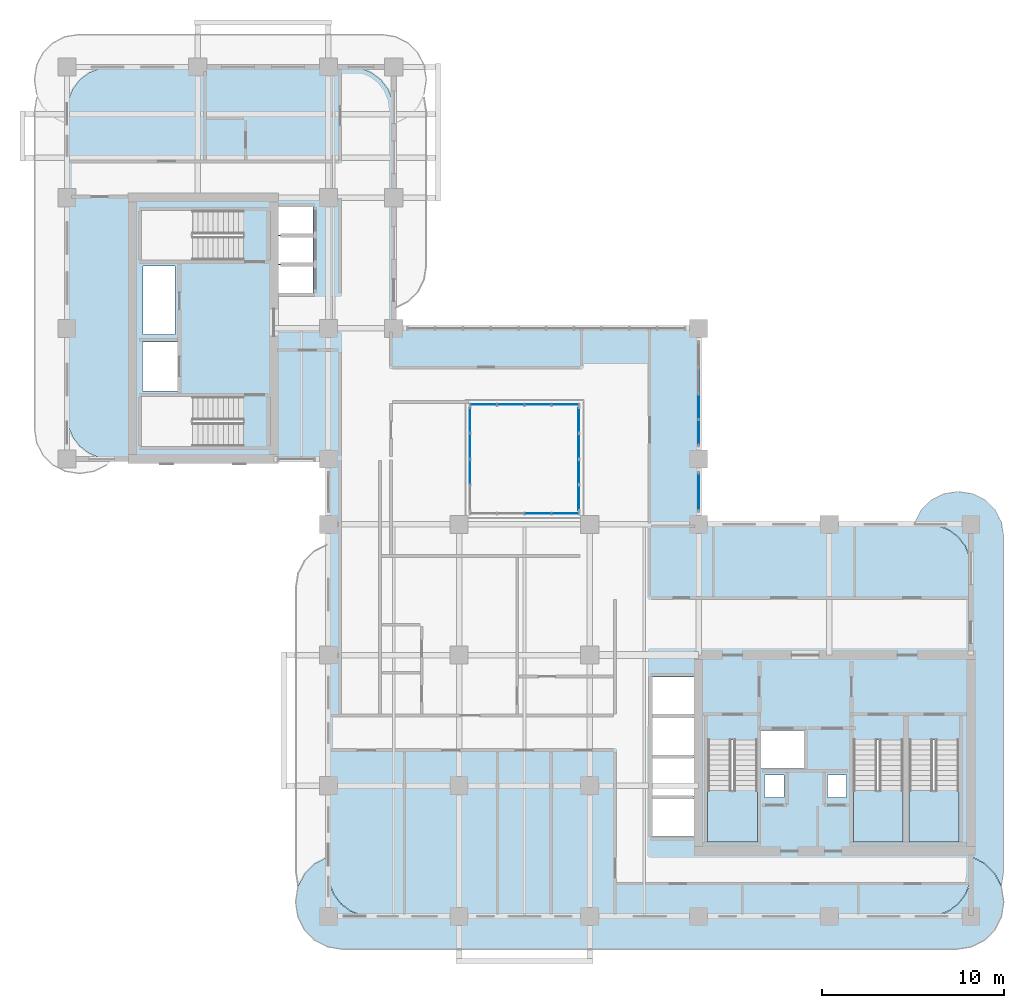
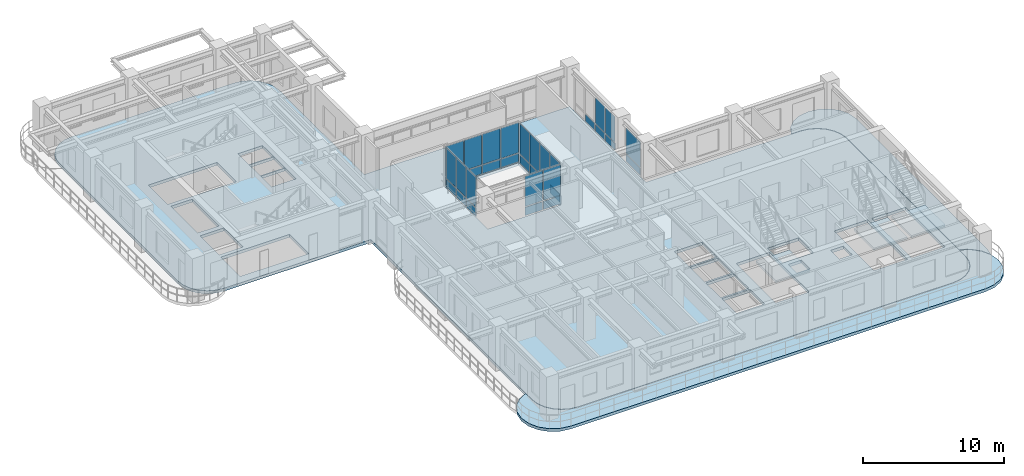
# One storey, part 9 of 21: 33 plates, 6 slabs, 9 elements without a shape of their own.
"""IFC4 building model written with IfcOpenShell, lengths in metres."""

import ifcopenshell
import ifcopenshell.guid

model = None  # the IFC model being written
_history = None  # IfcOwnerHistory: only IFC2X3 demands one
_inside = {}  # id of a spatial element -> (the spatial element, [elements in it])
_under = {}  # id of a project, library or spatial element -> (it, [spatial elements below it])
_declared = {}  # id of a project -> (the project, [libraries it declares])
_typed = {}  # id of a type object -> (the type object, [elements of that type])
_made_of = {}  # id of a material, layer set ... -> (it, [elements and type objects made of it])


def new_model(schema):
    """Start an empty IFC model of exactly this schema.

    Asked for "IFC4X3", IfcOpenShell would pick the latest addendum, in which some entities
    have other attributes; the version numbers below select the first issue.
    IFC2X3 requires an IfcOwnerHistory on every rooted entity: one is made here for all.
    """
    global model, _history
    if schema == "IFC4X3":
        model = ifcopenshell.file(schema_version=(4, 3, 0, 0))
    else:
        model = ifcopenshell.file(schema=schema)
    _inside.clear()
    _under.clear()
    _declared.clear()
    _typed.clear()
    _made_of.clear()
    _history = None
    if model.schema == "IFC2X3":
        org = make("IfcOrganization", Name="unknown")
        user = make(
            "IfcPersonAndOrganization",
            ThePerson=make("IfcPerson", FamilyName="unknown"),
            TheOrganization=org,
        )
        app = make(
            "IfcApplication",
            ApplicationDeveloper=org,
            Version="unknown",
            ApplicationFullName="unknown",
            ApplicationIdentifier="unknown",
        )
        _history = make(
            "IfcOwnerHistory",
            OwningUser=user,
            OwningApplication=app,
            ChangeAction="ADDED",
            CreationDate=0,
        )
    return model


def make(cls, **values):
    """One entity of the class cls with the attributes given. An attribute that is None is left unset."""
    return model.create_entity(
        cls, **{name: value for name, value in values.items() if value is not None}
    )


def rooted(cls, **values):
    """An entity with a GlobalId (a new one), such as an element, a storey or a relation."""
    return make(cls, GlobalId=ifcopenshell.guid.new(), OwnerHistory=_history, **values)


def si_unit(unit_type, name, prefix=None):
    """IfcSIUnit, for example si_unit("LENGTHUNIT", "METRE", prefix="MILLI")."""
    return make("IfcSIUnit", UnitType=unit_type, Prefix=prefix, Name=name)


def derived_unit(unit_type, elements):
    """IfcDerivedUnit: a product of units, each with its exponent."""
    return make(
        "IfcDerivedUnit",
        Elements=[
            make("IfcDerivedUnitElement", Unit=unit, Exponent=power)
            for unit, power in elements
        ],
        UnitType=unit_type,
    )


def assignment(units):
    """IfcUnitAssignment: the units of a project."""
    return None if units is None else make("IfcUnitAssignment", Units=units)


def point(xyz):
    """IfcCartesianPoint."""
    return None if xyz is None else make("IfcCartesianPoint", Coordinates=xyz)


def direction(xyz):
    """IfcDirection."""
    return None if xyz is None else make("IfcDirection", DirectionRatios=xyz)


def frame(location, z_axis=None, x_axis=None):
    """IfcAxis2Placement3D, a coordinate frame: its origin and axes. An axis left out is left unset."""
    return make(
        "IfcAxis2Placement3D",
        Location=point(location),
        Axis=direction(z_axis),
        RefDirection=direction(x_axis),
    )


def frame_2d(location, x_axis=None):
    """IfcAxis2Placement2D, a coordinate frame in the plane: its origin and x axis."""
    return make(
        "IfcAxis2Placement2D", Location=point(location), RefDirection=direction(x_axis)
    )


def origin():
    """The frame at (0, 0, 0) with its axes left unset."""
    return frame((0.0, 0.0, 0.0))


def origin_2d():
    """The frame at (0, 0) in the plane with its x axis left unset."""
    return frame_2d((0.0, 0.0))


def place(relative_to, where):
    """IfcLocalPlacement: puts the frame where relative to a parent placement (None: the world)."""
    return make(
        "IfcLocalPlacement", PlacementRelTo=relative_to, RelativePlacement=where
    )


def context(
    kind, dimensions, precision=None, world=None, true_north=None, identifier=None
):
    """IfcGeometricRepresentationContext, for example the 3D "Model" context."""
    return make(
        "IfcGeometricRepresentationContext",
        ContextIdentifier=identifier,
        ContextType=kind,
        CoordinateSpaceDimension=dimensions,
        Precision=precision,
        WorldCoordinateSystem=world,
        TrueNorth=true_north,
    )


def subcontext(parent, identifier, kind, view, scale=None):
    """IfcGeometricRepresentationSubContext, for example "Body" below "Model"."""
    return make(
        "IfcGeometricRepresentationSubContext",
        ContextIdentifier=identifier,
        ContextType=kind,
        ParentContext=parent,
        TargetScale=scale,
        TargetView=view,
    )


def project(units=None, contexts=None):
    """IfcProject with its units and contexts."""
    return rooted(
        "IfcProject",
        Name="project",
        RepresentationContexts=contexts,
        UnitsInContext=assignment(units),
    )


def spatial(cls, under=None, at=None, **own):
    """A site, building, storey or space (cls), placed at a placement, below another one or the project."""
    s = rooted(cls, ObjectPlacement=at, **own)
    if under is not None:
        _under.setdefault(under.id(), (under, []))[1].append(s)
    return s


def polyline(points):
    """IfcPolyline through the points."""
    return make("IfcPolyline", Points=[point(p) for p in points])


def profile(cls, at=None, kind="AREA", **sizes):
    """A parametric profile (cls). Its sizes go by their IFC names, for example OverallWidth=200.0."""
    return make(cls, ProfileType=kind, Position=at, **sizes)


def rectangle(**sizes):
    """IfcRectangleProfileDef."""
    return profile("IfcRectangleProfileDef", **sizes)


def outline(outer, holes=None, kind="AREA"):
    """IfcArbitraryClosedProfileDef: a profile drawn as a closed curve; with holes, ...WithVoids."""
    if holes is None:
        return make("IfcArbitraryClosedProfileDef", ProfileType=kind, OuterCurve=outer)
    return make(
        "IfcArbitraryProfileDefWithVoids",
        ProfileType=kind,
        OuterCurve=outer,
        InnerCurves=holes,
    )


def extrude(swept, where, along, depth):
    """IfcExtrudedAreaSolid: the profile swept, set in the frame where, extruded along a direction by depth."""
    return make(
        "IfcExtrudedAreaSolid",
        SweptArea=swept,
        Position=where,
        ExtrudedDirection=direction(along),
        Depth=depth,
    )


def shape(context_of_items, identifier, shape_type, items):
    """IfcShapeRepresentation: the items that make up one representation, for example the "Body"."""
    return make(
        "IfcShapeRepresentation",
        ContextOfItems=context_of_items,
        RepresentationIdentifier=identifier,
        RepresentationType=shape_type,
        Items=items,
    )


def source(mapping_origin, context_of_items, identifier, shape_type, items):
    """IfcRepresentationMap: a shape defined once, which mapped items show again and again."""
    return make(
        "IfcRepresentationMap",
        MappingOrigin=mapping_origin,
        MappedRepresentation=shape(context_of_items, identifier, shape_type, items),
    )


def transform(
    local_origin,
    x_axis=None,
    y_axis=None,
    z_axis=None,
    scale=None,
    scale2=None,
    scale3=None,
    uniform=True,
):
    """IfcCartesianTransformationOperator3D, or its non-uniform kind. x_axis, y_axis, z_axis: its Axis1, 2, 3."""
    if uniform:
        return make(
            "IfcCartesianTransformationOperator3D",
            Axis1=direction(x_axis),
            Axis2=direction(y_axis),
            LocalOrigin=point(local_origin),
            Scale=scale,
            Axis3=direction(z_axis),
        )
    return make(
        "IfcCartesianTransformationOperator3DnonUniform",
        Axis1=direction(x_axis),
        Axis2=direction(y_axis),
        LocalOrigin=point(local_origin),
        Scale=scale,
        Axis3=direction(z_axis),
        Scale2=scale2,
        Scale3=scale3,
    )


def mapped(mapping_source, mapping_target):
    """IfcMappedItem: shows the shape of a source again, moved by a transform."""
    return make(
        "IfcMappedItem", MappingSource=mapping_source, MappingTarget=mapping_target
    )


def material(Name=None, Category=None):
    """IfcMaterial."""
    return make("IfcMaterial", Name=Name, Category=Category)


def layer(
    of_material, thickness, ventilated=None, Name=None, Category=None, Priority=None
):
    """IfcMaterialLayer: one layer of a wall or slab, of a material (None: an air gap)."""
    return make(
        "IfcMaterialLayer",
        Material=of_material,
        LayerThickness=thickness,
        IsVentilated=ventilated,
        Name=Name,
        Category=Category,
        Priority=Priority,
    )


def layer_set(layers, Name=None):
    """IfcMaterialLayerSet."""
    return make("IfcMaterialLayerSet", MaterialLayers=layers, LayerSetName=Name)


def made_of(thing, what):
    """Note that an element or type object is made of a material, layer set ...; save() writes the relation."""
    if what is not None:
        _made_of.setdefault(what.id(), (what, []))[1].append(thing)
    return thing


def type_object(cls, material=None, **own):
    """A type object (cls), such as IfcWallType, which elements share."""
    return made_of(rooted(cls, **own), material)


def element(
    cls,
    number,
    at=None,
    inside=None,
    cuts=None,
    type_object=None,
    material=None,
    context=None,
    identifier="Body",
    shape_type=None,
    held_by="IfcProductDefinitionShape",
    body=None,
    shapes=None,
    **own,
):
    """One element of the class cls, such as IfcWall. Its Tag is "e" and its number.

    at: its placement. inside: the storey or other place that contains it. cuts: it is an
    opening in that element (IfcRelVoidsElement). A single representation is given by context,
    identifier, shape_type and body (its items); several are given by shapes. held_by: the class
    of the entity that holds the representations. save() writes the other relations.
    """
    e = rooted(cls, Tag="e%d" % number, ObjectPlacement=at, **own)
    if body is not None:
        shapes = [shape(context, identifier, shape_type, body)]
    if shapes is not None:
        e.Representation = make(held_by, Representations=shapes)
    if inside is not None:
        _inside.setdefault(inside.id(), (inside, []))[1].append(e)
    if cuts is not None:
        rooted(
            "IfcRelVoidsElement", RelatingBuildingElement=cuts, RelatedOpeningElement=e
        )
    if type_object is not None:
        _typed.setdefault(type_object.id(), (type_object, []))[1].append(e)
    return made_of(e, material)


def aggregate(whole, parts):
    """IfcRelAggregates: a whole, such as a stair, and the parts it consists of."""
    return rooted("IfcRelAggregates", RelatingObject=whole, RelatedObjects=parts)


def save(model, path):
    """Write the relations noted so far, then the file.

    IfcRelAggregates (storeys below a building ...), IfcRelContainedInSpatialStructure (elements
    in a storey), IfcRelDefinesByType, IfcRelAssociatesMaterial and IfcRelDeclares: one each for
    every whole, place, type object, material and project.
    """
    for whole, parts in _under.values():
        aggregate(whole, parts)
    for where, things in _inside.values():
        rooted(
            "IfcRelContainedInSpatialStructure",
            RelatedElements=things,
            RelatingStructure=where,
        )
    for kind, things in _typed.values():
        rooted("IfcRelDefinesByType", RelatedObjects=things, RelatingType=kind)
    for what, things in _made_of.values():
        rooted("IfcRelAssociatesMaterial", RelatedObjects=things, RelatingMaterial=what)
    for by, libraries in _declared.values():
        rooted("IfcRelDeclares", RelatingContext=by, RelatedDefinitions=libraries)
    model.write(path)


model = new_model("IFC4")

# Units and contexts
model_context = context("Model", 3, precision=1e-05, world=origin(), true_north=direction((0.0, 1.0)))
body_context = subcontext(model_context, "Body", "Model", "MODEL_VIEW")
ifc_project = project(units=[si_unit("LENGTHUNIT", "METRE"), si_unit("AREAUNIT", "SQUARE_METRE"), si_unit("VOLUMEUNIT", "CUBIC_METRE"), si_unit("PLANEANGLEUNIT", "RADIAN"), si_unit("MASSUNIT", "GRAM", prefix="KILO"), si_unit("THERMODYNAMICTEMPERATUREUNIT", "KELVIN"), si_unit("POWERUNIT", "WATT"), derived_unit("THERMALTRANSMITTANCEUNIT", [(si_unit("POWERUNIT", "WATT"), 1), (si_unit("AREAUNIT", "SQUARE_METRE"), -1), (si_unit("THERMODYNAMICTEMPERATUREUNIT", "KELVIN"), -1)])], contexts=[model_context])

# Site, building, storey
site_placement = place(None, origin())
site = spatial("IfcSite", under=ifc_project, at=site_placement, CompositionType="ELEMENT")
building_placement = place(site_placement, origin())
building = spatial("IfcBuilding", under=site, at=building_placement, Name="Zahravan Archway Hotel and Residences", CompositionType="ELEMENT")
storey_placement = place(building_placement, frame((0.0, 0.0, 165.699951171875)))
storey = spatial("IfcBuildingStorey", under=building, at=storey_placement, Name="L41", CompositionType="ELEMENT", Elevation=165.699951171875)

# Slabs
ifc_material_1 = material(Name="Concrete C45/55", Category="concrete")
ifc_layer_1 = layer(ifc_material_1, 0.25, Name="Concrete C45/55", Category="concrete")
ifc_layer_set_1 = layer_set([ifc_layer_1], Name="Concrete C45/55")
slab_type_1 = type_object("IfcSlabType", Name="SLB-BALC-250", PredefinedType="FLOOR", material=ifc_layer_set_1)
slab_1_placement = place(storey_placement, frame((0.0, 0.0, -0.25)))
element("IfcSlab", 1, at=slab_1_placement, inside=storey, type_object=slab_type_1, Name="L41 Wing A South Rounded Balcony Band", PredefinedType="FLOOR", context=body_context, shape_type="SweptSolid", body=[
    extrude(outline(polyline([(49.837890625, 3.275146484375), (50.548828125, 2.9130859375), (51.113037109375, 2.348876953125), (51.47509765625, 1.637939453125), (51.60009765625, 0.85009765625), (51.60009765625, 0.75), (51.47509765625, -0.0380859375), (51.113037109375, -0.748779296875), (50.548828125, -1.31298828125), (49.837890625, -1.67529296875), (49.050048828125, -1.800048828125), (15.14990234375, -1.800048828125), (14.362060546875, -1.67529296875), (13.651123046875, -1.31298828125), (13.0869140625, -0.748779296875), (12.724853515625, -0.0380859375), (12.60009765625, 0.75), (12.60009765625, 0.85009765625), (12.724853515625, 1.637939453125), (13.0869140625, 2.348876953125), (13.651123046875, 2.9130859375), (14.362060546875, 3.275146484375), (14.3798828125, 3.278076171875), (14.3798828125, 2.39990234375), (14.380126953125, 2.3974609375), (14.4619140625, 1.776123046875), (14.46240234375, 1.7744140625), (14.462646484375, 1.772705078125), (14.46337890625, 1.77099609375), (14.702880859375, 1.1923828125), (14.703857421875, 1.19091796875), (14.70458984375, 1.189208984375), (14.70556640625, 1.187744140625), (15.0869140625, 0.690673828125), (15.088134765625, 0.689453125), (15.08935546875, 0.688232421875), (15.0908203125, 0.68701171875), (15.587890625, 0.3056640625), (15.58935546875, 0.3046875), (15.5908203125, 0.3037109375), (15.59228515625, 0.302978515625), (16.171142578125, 0.063232421875), (16.1728515625, 0.062744140625), (16.174560546875, 0.062255859375), (16.17626953125, 0.06201171875), (16.79736328125, -0.019775390625), (16.800048828125, -0.02001953125), (47.39990234375, -0.02001953125), (47.402587890625, -0.019775390625), (48.023681640625, 0.06201171875), (48.025390625, 0.062255859375), (48.027099609375, 0.062744140625), (48.02880859375, 0.063232421875), (48.607666015625, 0.302978515625), (48.609130859375, 0.3037109375), (48.610595703125, 0.3046875), (48.6123046875, 0.3056640625), (49.109375, 0.68701171875), (49.110595703125, 0.688232421875), (49.11181640625, 0.689453125), (49.113037109375, 0.690673828125), (49.494384765625, 1.187744140625), (49.495361328125, 1.189208984375), (49.49609375, 1.19091796875), (49.4970703125, 1.1923828125), (49.73681640625, 1.77099609375), (49.7373046875, 1.772705078125), (49.73779296875, 1.7744140625), (49.738037109375, 1.776123046875), (49.81982421875, 2.3974609375), (49.820068359375, 2.39990234375), (49.820068359375, 3.278076171875), (49.837890625, 3.275146484375)])), origin(), (0.0, 0.0, 1.0), 0.25),
])
slab_2_placement = place(storey_placement, frame((0.0, 0.0, -0.25)))
element("IfcSlab", 2, at=slab_2_placement, inside=storey, type_object=slab_type_1, Name="L41 Wing A East Rounded Balcony Band", PredefinedType="FLOOR", context=body_context, shape_type="SweptSolid", body=[
    extrude(outline(polyline([(46.719970703125, 21.70703125), (47.06787109375, 22.39013671875), (47.60986328125, 22.93212890625), (48.29296875, 23.280029296875), (49.050048828125, 23.39990234375), (49.14990234375, 23.39990234375), (49.906982421875, 23.280029296875), (50.590087890625, 22.93212890625), (51.132080078125, 22.39013671875), (51.47998046875, 21.70703125), (51.60009765625, 20.949951171875), (51.60009765625, 2.449951171875), (51.47998046875, 1.69287109375), (51.474853515625, 1.6826171875), (51.130859375, 2.35791015625), (51.1298828125, 2.35986328125), (51.12841796875, 2.361572265625), (51.127197265625, 2.363037109375), (50.56298828125, 2.927001953125), (50.5615234375, 2.928466796875), (50.559814453125, 2.9296875), (50.55810546875, 2.930908203125), (49.84716796875, 3.29296875), (49.84521484375, 3.2939453125), (49.84326171875, 3.29443359375), (49.841064453125, 3.294921875), (49.822998046875, 3.2978515625), (49.8212890625, 3.298095703125), (49.820068359375, 3.298095703125), (49.820068359375, 19.199951171875), (49.81982421875, 19.20263671875), (49.738037109375, 19.82373046875), (49.73779296875, 19.825439453125), (49.7373046875, 19.8271484375), (49.73681640625, 19.828857421875), (49.4970703125, 20.40771484375), (49.49609375, 20.4091796875), (49.495361328125, 20.41064453125), (49.494384765625, 20.412109375), (49.113037109375, 20.9091796875), (49.11181640625, 20.91064453125), (49.110595703125, 20.911865234375), (49.109375, 20.9130859375), (48.6123046875, 21.29443359375), (48.610595703125, 21.29541015625), (48.609130859375, 21.296142578125), (48.607666015625, 21.297119140625), (48.02880859375, 21.53662109375), (48.027099609375, 21.537353515625), (48.025390625, 21.53759765625), (48.023681640625, 21.5380859375), (47.402587890625, 21.619873046875), (47.39990234375, 21.6201171875), (46.7060546875, 21.6201171875), (46.719970703125, 21.70703125)])), origin(), (0.0, 0.0, 1.0), 0.25),
])
ifc_layer_2 = layer(ifc_material_1, 0.25, Name="Concrete C45/55", Category="concrete")
ifc_layer_set_2 = layer_set([ifc_layer_2], Name="Concrete C45/55")
slab_type_2 = type_object("IfcSlabType", Name="SLB-FLR-250", PredefinedType="FLOOR", material=ifc_layer_set_2)
slab_3_placement = place(storey_placement, frame((0.0, 0.0, -0.25)))
element("IfcSlab", 3, at=slab_3_placement, inside=storey, type_object=slab_type_2, Name="L41 Floor Slab LB", PredefinedType="FLOOR", context=body_context, shape_type="SweptSolid", body=[
    extrude(outline(polyline([(34.800048828125, 21.60009765625), (34.800048828125, 32.39990234375), (18.0, 32.39990234375), (18.0, 44.39990234375), (17.918212890625, 45.021240234375), (17.678466796875, 45.60009765625), (17.297119140625, 46.09716796875), (16.800048828125, 46.478515625), (16.22119140625, 46.71826171875), (15.60009765625, 46.800048828125), (2.39990234375, 46.800048828125), (1.77880859375, 46.71826171875), (1.199951171875, 46.478515625), (0.702880859375, 46.09716796875), (0.321533203125, 45.60009765625), (0.081787109375, 45.021240234375), (0.0, 44.39990234375), (0.0, 27.60009765625), (0.081787109375, 26.978759765625), (0.321533203125, 26.39990234375), (0.702880859375, 25.90283203125), (1.199951171875, 25.521484375), (1.77880859375, 25.28173828125), (2.39990234375, 25.199951171875), (14.39990234375, 25.199951171875), (14.39990234375, 19.199951171875), (14.39990234375, 19.10009765625), (14.39990234375, 2.39990234375), (14.481689453125, 1.77880859375), (14.721435546875, 1.199951171875), (15.102783203125, 0.702880859375), (15.60009765625, 0.321533203125), (16.1787109375, 0.081787109375), (16.800048828125, 0.0), (47.39990234375, 0.0), (48.021240234375, 0.081787109375), (48.60009765625, 0.321533203125), (49.09716796875, 0.702880859375), (49.478515625, 1.199951171875), (49.71826171875, 1.77880859375), (49.800048828125, 2.39990234375), (49.800048828125, 19.199951171875), (49.71826171875, 19.8212890625), (49.478515625, 20.39990234375), (49.09716796875, 20.897216796875), (48.60009765625, 21.278564453125), (48.021240234375, 21.518310546875), (47.39990234375, 21.60009765625), (34.800048828125, 21.60009765625)]), holes=[polyline([(35.300048828125, 9.72998046875), (35.300048828125, 4.10009765625), (38.0400390625, 4.10009765625), (38.0400390625, 9.72998046875), (35.300048828125, 9.72998046875)]), polyline([(43.320068359375, 9.72998046875), (43.320068359375, 4.10009765625), (46.06005859375, 4.10009765625), (46.06005859375, 9.72998046875), (43.320068359375, 9.72998046875)]), polyline([(46.39990234375, 9.72998046875), (46.39990234375, 4.10009765625), (49.139892578125, 4.10009765625), (49.139892578125, 9.72998046875), (46.39990234375, 9.72998046875)]), polyline([(9.72998046875, 28.639892578125), (4.10009765625, 28.639892578125), (4.10009765625, 25.89990234375), (9.72998046875, 25.89990234375), (9.72998046875, 28.639892578125)]), polyline([(9.72998046875, 38.89990234375), (4.10009765625, 38.89990234375), (4.10009765625, 36.159912109375), (9.72998046875, 36.159912109375), (9.72998046875, 38.89990234375)]), polyline([(38.179931640625, 8.14990234375), (40.699951171875, 8.14990234375), (40.699951171875, 10.25), (38.179931640625, 10.25), (38.179931640625, 8.14990234375)]), polyline([(4.14990234375, 28.949951171875), (6.10009765625, 28.949951171875), (6.10009765625, 31.64990234375), (4.14990234375, 31.64990234375), (4.14990234375, 28.949951171875)]), polyline([(11.550048828125, 34.35009765625), (13.550048828125, 34.35009765625), (13.550048828125, 35.889892578125), (11.550048828125, 35.889892578125), (11.550048828125, 34.35009765625)]), polyline([(11.550048828125, 35.949951171875), (13.550048828125, 35.949951171875), (13.550048828125, 37.489990234375), (11.550048828125, 37.489990234375), (11.550048828125, 35.949951171875)]), polyline([(11.550048828125, 37.550048828125), (13.550048828125, 37.550048828125), (13.550048828125, 39.090087890625), (11.550048828125, 39.090087890625), (11.550048828125, 37.550048828125)]), polyline([(32.25, 4.39990234375), (34.550048828125, 4.39990234375), (34.550048828125, 6.47998046875), (32.25, 6.47998046875), (32.25, 4.39990234375)]), polyline([(32.25, 6.639892578125), (34.550048828125, 6.639892578125), (34.550048828125, 8.719970703125), (32.25, 8.719970703125), (32.25, 6.639892578125)]), polyline([(32.25, 8.8798828125), (34.550048828125, 8.8798828125), (34.550048828125, 10.9599609375), (32.25, 10.9599609375), (32.25, 8.8798828125)]), polyline([(32.25, 11.1201171875), (34.550048828125, 11.1201171875), (34.550048828125, 13.199951171875), (32.25, 13.199951171875), (32.25, 11.1201171875)]), polyline([(22.199951171875, 22.199951171875), (28.199951171875, 22.199951171875), (28.199951171875, 28.199951171875), (22.199951171875, 28.199951171875), (22.199951171875, 22.199951171875)]), polyline([(38.419921875, 6.56005859375), (39.5, 6.56005859375), (39.5, 7.780029296875), (38.419921875, 7.780029296875), (38.419921875, 6.56005859375)]), polyline([(41.89990234375, 6.56005859375), (42.9599609375, 6.56005859375), (42.9599609375, 7.780029296875), (41.89990234375, 7.780029296875), (41.89990234375, 6.56005859375)]), polyline([(4.179931640625, 32.050048828125), (5.93994140625, 32.050048828125), (5.93994140625, 35.840087890625), (4.179931640625, 35.840087890625), (4.179931640625, 32.050048828125)])]), origin(), (0.0, 0.0, 1.0), 0.25),
])

# Stair, slab
ifc_material_2 = material(Name="Concrete C50/60", Category="concrete")
stair_type = type_object("IfcStairType", Name="STR-CORE-1300", PredefinedType="HALF_TURN_STAIR", material=ifc_material_2)
stair_1_placement = place(storey_placement, origin())
stair_1 = element("IfcStair", 4, at=stair_1_placement, inside=storey, type_object=stair_type, Name="L41 Core A Exit Stair 1", PredefinedType="HALF_TURN_STAIR")
ifc_layer_3 = layer(ifc_material_2, 0.199951171875, Name="Concrete C50/60", Category="concrete")
ifc_layer_set_3 = layer_set([ifc_layer_3], Name="Concrete C50/60")
slab_type_3 = type_object("IfcSlabType", Name="SLB-LND-200", PredefinedType="LANDING", material=ifc_layer_set_3)
slab_4_placement = place(storey_placement, frame((0.0, 0.0, 1.72509765625)))
slab_4 = element("IfcSlab", 5, at=slab_4_placement, type_object=slab_type_3, Name="ST-A1 landing 1", PredefinedType="LANDING", context=body_context, shape_type="SweptSolid", body=[
    extrude(outline(polyline([(35.300048828125, 6.929931640625), (35.300048828125, 4.10009765625), (38.0400390625, 4.10009765625), (38.0400390625, 6.929931640625), (35.300048828125, 6.929931640625)])), origin(), (0.0, 0.0, 1.0), 0.199951171875),
])
aggregate(stair_1, [slab_4])

stair_2_placement = place(storey_placement, origin())
stair_2 = element("IfcStair", 6, at=stair_2_placement, inside=storey, type_object=stair_type, Name="L41 Core A Exit Stair 2", PredefinedType="HALF_TURN_STAIR")
slab_5_placement = place(storey_placement, frame((0.0, 0.0, 1.72509765625)))
slab_5 = element("IfcSlab", 7, at=slab_5_placement, type_object=slab_type_3, Name="ST-A2 landing 1", PredefinedType="LANDING", context=body_context, shape_type="SweptSolid", body=[
    extrude(outline(polyline([(43.320068359375, 6.929931640625), (43.320068359375, 4.10009765625), (46.06005859375, 4.10009765625), (46.06005859375, 6.929931640625), (43.320068359375, 6.929931640625)])), origin(), (0.0, 0.0, 1.0), 0.199951171875),
])
aggregate(stair_2, [slab_5])

stair_3_placement = place(storey_placement, origin())
stair_3 = element("IfcStair", 8, at=stair_3_placement, inside=storey, type_object=stair_type, Name="L41 Core A Exit Stair 3", PredefinedType="HALF_TURN_STAIR")
slab_6_placement = place(storey_placement, frame((0.0, 0.0, 1.72509765625)))
slab_6 = element("IfcSlab", 9, at=slab_6_placement, type_object=slab_type_3, Name="ST-A3 landing 1", PredefinedType="LANDING", context=body_context, shape_type="SweptSolid", body=[
    extrude(outline(polyline([(46.39990234375, 6.929931640625), (46.39990234375, 4.10009765625), (49.139892578125, 4.10009765625), (49.139892578125, 6.929931640625), (46.39990234375, 6.929931640625)])), origin(), (0.0, 0.0, 1.0), 0.199951171875),
])
aggregate(stair_3, [slab_6])

# Curtain wall, plates
ifc_material_3 = material(Name="Bronze-Anodized Unitised Aluminium & Low-E Glass", Category="aluminium")
ifc_layer_4 = layer(ifc_material_3, 0.179931640625, Name="Bronze-Anodized Unitised Aluminium & Low-E Glass", Category="aluminium")
ifc_layer_set_4 = layer_set([ifc_layer_4], Name="Bronze-Anodized Unitised Aluminium & Low-E Glass")
curtain_wall_type = type_object("IfcCurtainWallType", Name="CW-ATR-GLAZ", PredefinedType="NOTDEFINED", material=ifc_layer_set_4)
curtain_wall_1_placement = place(storey_placement, origin())
curtain_wall_1 = element("IfcCurtainWall", 10, at=curtain_wall_1_placement, inside=storey, type_object=curtain_wall_type, Name="L41 Curtain Wall CW-ATR-L41-S-1", PredefinedType="NOTDEFINED")
ifc_material_4 = material(Name="Insulated Terracotta Spandrel Panel", Category="masonry")
ifc_layer_5 = layer(ifc_material_4, 0.0400390625, Name="Insulated Terracotta Spandrel Panel", Category="masonry")
ifc_layer_set_5 = layer_set([ifc_layer_5], Name="Insulated Terracotta Spandrel Panel")
plate_type_1 = type_object("IfcPlateType", Name="CWP-SPN-40", PredefinedType="SHEET", material=ifc_layer_set_5)
shared_shape_1 = source(origin(), body_context, "Body", "SweptSolid", [
    extrude(rectangle(XDim=1.419921875, YDim=0.0400390625, at=origin_2d()), origin(), (0.0, 0.0, 1.0), 0.7099609375),
])
plate_1_placement = place(storey_placement, frame((25.949951171875, 22.199951171875, 0.10009765625), z_axis=(0.0, 0.0, 1.0), x_axis=(1.0, 0.0, 0.0)))
plate_1 = element("IfcPlate", 11, at=plate_1_placement, type_object=plate_type_1, Name="CW-ATR-L41-S-1 Spandrel Panel 2", PredefinedType="SHEET", context=body_context, shape_type="MappedRepresentation", body=[
    mapped(shared_shape_1, transform((0.0, 0.0, 0.0), scale=1.0)),
])
plate_2_placement = place(storey_placement, frame((27.449951171875, 22.199951171875, 0.10009765625), z_axis=(0.0, 0.0, 1.0), x_axis=(1.0, 0.0, 0.0)))
plate_2 = element("IfcPlate", 12, at=plate_2_placement, type_object=plate_type_1, Name="CW-ATR-L41-S-1 Spandrel Panel 3", PredefinedType="SHEET", context=body_context, shape_type="MappedRepresentation", body=[
    mapped(shared_shape_1, transform((0.0, 0.0, 0.0), scale=1.0)),
])

curtain_wall_2_placement = place(storey_placement, origin())
curtain_wall_2 = element("IfcCurtainWall", 13, at=curtain_wall_2_placement, inside=storey, type_object=curtain_wall_type, Name="L41 Curtain Wall CW-ATR-L41-N-1", PredefinedType="NOTDEFINED")
plate_3_placement = place(storey_placement, frame((22.949951171875, 28.199951171875, 0.10009765625), z_axis=(0.0, 0.0, 1.0), x_axis=(1.0, 0.0, 0.0)))
plate_3 = element("IfcPlate", 14, at=plate_3_placement, type_object=plate_type_1, Name="CW-ATR-L41-N-1 Spandrel Panel 0", PredefinedType="SHEET", context=body_context, shape_type="MappedRepresentation", body=[
    mapped(shared_shape_1, transform((0.0, 0.0, 0.0), scale=1.0)),
])
plate_4_placement = place(storey_placement, frame((24.449951171875, 28.199951171875, 0.10009765625), z_axis=(0.0, 0.0, 1.0), x_axis=(1.0, 0.0, 0.0)))
plate_4 = element("IfcPlate", 15, at=plate_4_placement, type_object=plate_type_1, Name="CW-ATR-L41-N-1 Spandrel Panel 1", PredefinedType="SHEET", context=body_context, shape_type="MappedRepresentation", body=[
    mapped(shared_shape_1, transform((0.0, 0.0, 0.0), scale=1.0)),
])
plate_5_placement = place(storey_placement, frame((25.949951171875, 28.199951171875, 0.10009765625), z_axis=(0.0, 0.0, 1.0), x_axis=(1.0, 0.0, 0.0)))
plate_5 = element("IfcPlate", 16, at=plate_5_placement, type_object=plate_type_1, Name="CW-ATR-L41-N-1 Spandrel Panel 2", PredefinedType="SHEET", context=body_context, shape_type="MappedRepresentation", body=[
    mapped(shared_shape_1, transform((0.0, 0.0, 0.0), scale=1.0)),
])
plate_6_placement = place(storey_placement, frame((27.449951171875, 28.199951171875, 0.10009765625), z_axis=(0.0, 0.0, 1.0), x_axis=(1.0, 0.0, 0.0)))
plate_6 = element("IfcPlate", 17, at=plate_6_placement, type_object=plate_type_1, Name="CW-ATR-L41-N-1 Spandrel Panel 3", PredefinedType="SHEET", context=body_context, shape_type="MappedRepresentation", body=[
    mapped(shared_shape_1, transform((0.0, 0.0, 0.0), scale=1.0)),
])

curtain_wall_3_placement = place(storey_placement, origin())
curtain_wall_3 = element("IfcCurtainWall", 18, at=curtain_wall_3_placement, inside=storey, type_object=curtain_wall_type, Name="L41 Curtain Wall CW-ATR-L41-W-1", PredefinedType="NOTDEFINED")
shared_shape_2 = source(origin(), body_context, "Body", "SweptSolid", [
    extrude(rectangle(XDim=1.344970703125, YDim=0.0400390625, at=origin_2d()), origin(), (0.0, 0.0, 1.0), 0.7099609375),
])
plate_7_placement = place(storey_placement, frame((22.199951171875, 24.487548828125, 0.10009765625), z_axis=(0.0, 0.0, 1.0), x_axis=(0.0, 1.0, 0.0)))
plate_7 = element("IfcPlate", 19, at=plate_7_placement, type_object=plate_type_1, Name="CW-ATR-L41-W-1 Spandrel Panel 1", PredefinedType="SHEET", context=body_context, shape_type="MappedRepresentation", body=[
    mapped(shared_shape_2, transform((0.0, 0.0, 0.0), scale=1.0)),
])
plate_8_placement = place(storey_placement, frame((22.199951171875, 25.91259765625, 0.10009765625), z_axis=(0.0, 0.0, 1.0), x_axis=(0.0, 1.0, 0.0)))
plate_8 = element("IfcPlate", 20, at=plate_8_placement, type_object=plate_type_1, Name="CW-ATR-L41-W-1 Spandrel Panel 2", PredefinedType="SHEET", context=body_context, shape_type="MappedRepresentation", body=[
    mapped(shared_shape_2, transform((0.0, 0.0, 0.0), scale=1.0)),
])
plate_9_placement = place(storey_placement, frame((22.199951171875, 27.33740234375, 0.10009765625), z_axis=(0.0, 0.0, 1.0), x_axis=(0.0, 1.0, 0.0)))
plate_9 = element("IfcPlate", 21, at=plate_9_placement, type_object=plate_type_1, Name="CW-ATR-L41-W-1 Spandrel Panel 3", PredefinedType="SHEET", context=body_context, shape_type="MappedRepresentation", body=[
    mapped(shared_shape_2, transform((0.0, 0.0, 0.0), scale=1.0)),
])

curtain_wall_4_placement = place(storey_placement, origin())
curtain_wall_4 = element("IfcCurtainWall", 22, at=curtain_wall_4_placement, inside=storey, type_object=curtain_wall_type, Name="L41 Curtain Wall CW-ATR-L41-E-1", PredefinedType="NOTDEFINED")
plate_10_placement = place(storey_placement, frame((28.199951171875, 23.0625, 0.10009765625), z_axis=(0.0, 0.0, 1.0), x_axis=(0.0, 1.0, 0.0)))
plate_10 = element("IfcPlate", 23, at=plate_10_placement, type_object=plate_type_1, Name="CW-ATR-L41-E-1 Spandrel Panel 0", PredefinedType="SHEET", context=body_context, shape_type="MappedRepresentation", body=[
    mapped(shared_shape_2, transform((0.0, 0.0, 0.0), scale=1.0)),
])
plate_11_placement = place(storey_placement, frame((28.199951171875, 24.487548828125, 0.10009765625), z_axis=(0.0, 0.0, 1.0), x_axis=(0.0, 1.0, 0.0)))
plate_11 = element("IfcPlate", 24, at=plate_11_placement, type_object=plate_type_1, Name="CW-ATR-L41-E-1 Spandrel Panel 1", PredefinedType="SHEET", context=body_context, shape_type="MappedRepresentation", body=[
    mapped(shared_shape_2, transform((0.0, 0.0, 0.0), scale=1.0)),
])
plate_12_placement = place(storey_placement, frame((28.199951171875, 25.91259765625, 0.10009765625), z_axis=(0.0, 0.0, 1.0), x_axis=(0.0, 1.0, 0.0)))
plate_12 = element("IfcPlate", 25, at=plate_12_placement, type_object=plate_type_1, Name="CW-ATR-L41-E-1 Spandrel Panel 2", PredefinedType="SHEET", context=body_context, shape_type="MappedRepresentation", body=[
    mapped(shared_shape_2, transform((0.0, 0.0, 0.0), scale=1.0)),
])
plate_13_placement = place(storey_placement, frame((28.199951171875, 27.33740234375, 0.10009765625), z_axis=(0.0, 0.0, 1.0), x_axis=(0.0, 1.0, 0.0)))
plate_13 = element("IfcPlate", 26, at=plate_13_placement, type_object=plate_type_1, Name="CW-ATR-L41-E-1 Spandrel Panel 3", PredefinedType="SHEET", context=body_context, shape_type="MappedRepresentation", body=[
    mapped(shared_shape_2, transform((0.0, 0.0, 0.0), scale=1.0)),
])

curtain_wall_5_placement = place(storey_placement, origin())
curtain_wall_5 = element("IfcCurtainWall", 27, at=curtain_wall_5_placement, inside=storey, type_object=curtain_wall_type, Name="L41 Curtain Wall CW-L41-HNG-E-1", PredefinedType="NOTDEFINED")
shared_shape_3 = source(origin(), body_context, "Body", "SweptSolid", [
    extrude(rectangle(XDim=2.0, YDim=0.0400390625, at=origin_2d()), origin(), (0.0, 0.0, 1.0), 0.600341796875),
])
plate_14_placement = place(storey_placement, frame((34.800048828125, 23.39990234375, 0.10009765625), z_axis=(0.0, 0.0, 1.0), x_axis=(0.0, 1.0, 0.0)))
plate_14 = element("IfcPlate", 28, at=plate_14_placement, type_object=plate_type_1, Name="CW-L41-HNG-E-1 Spandrel Panel 0", PredefinedType="SHEET", context=body_context, shape_type="MappedRepresentation", body=[
    mapped(shared_shape_3, transform((0.0, 0.0, 0.0), scale=1.0)),
])
ifc_material_5 = material(Name="Double-Silver Low-E Insulated Vision Glass", Category="glass")
ifc_layer_6 = layer(ifc_material_5, 0.028076171875, Name="Double-Silver Low-E Insulated Vision Glass", Category="glass")
ifc_layer_set_6 = layer_set([ifc_layer_6], Name="Double-Silver Low-E Insulated Vision Glass")
plate_type_2 = type_object("IfcPlateType", Name="CWP-GLZ-28", PredefinedType="CURTAIN_PANEL", material=ifc_layer_set_6)
shared_shape_4 = source(origin(), body_context, "Body", "SweptSolid", [
    extrude(rectangle(XDim=2.0, YDim=0.028076171875, at=origin_2d()), origin(), (0.0, 0.0, 1.0), 2.20458984375),
])
plate_15_placement = place(storey_placement, frame((34.800048828125, 23.39990234375, 0.780517578125), z_axis=(0.0, 0.0, 1.0), x_axis=(0.0, 1.0, 0.0)))
plate_15 = element("IfcPlate", 29, at=plate_15_placement, type_object=plate_type_2, Name="CW-L41-HNG-E-1 Low-E Vision Panel 0", PredefinedType="CURTAIN_PANEL", context=body_context, shape_type="MappedRepresentation", body=[
    mapped(shared_shape_4, transform((0.0, 0.0, 0.0), scale=1.0)),
])
aggregate(curtain_wall_5, [plate_14, plate_15])

curtain_wall_6_placement = place(storey_placement, origin())
curtain_wall_6 = element("IfcCurtainWall", 30, at=curtain_wall_6_placement, inside=storey, type_object=curtain_wall_type, Name="L41 Curtain Wall CW-L41-HNG-E-2", PredefinedType="NOTDEFINED")
shared_shape_5 = source(origin(), body_context, "Body", "SweptSolid", [
    extrude(rectangle(XDim=1.340087890625, YDim=0.0400390625, at=origin_2d()), origin(), (0.0, 0.0, 1.0), 0.600341796875),
])
plate_16_placement = place(storey_placement, frame((34.800048828125, 26.669921875, 0.10009765625), z_axis=(0.0, 0.0, 1.0), x_axis=(0.0, 1.0, 0.0)))
plate_16 = element("IfcPlate", 31, at=plate_16_placement, type_object=plate_type_1, Name="CW-L41-HNG-E-2 Spandrel Panel 0", PredefinedType="SHEET", context=body_context, shape_type="MappedRepresentation", body=[
    mapped(shared_shape_5, transform((0.0, 0.0, 0.0), scale=1.0)),
])
plate_17_placement = place(storey_placement, frame((34.800048828125, 28.090087890625, 0.10009765625), z_axis=(0.0, 0.0, 1.0), x_axis=(0.0, 1.0, 0.0)))
plate_17 = element("IfcPlate", 32, at=plate_17_placement, type_object=plate_type_1, Name="CW-L41-HNG-E-2 Spandrel Panel 1", PredefinedType="SHEET", context=body_context, shape_type="MappedRepresentation", body=[
    mapped(shared_shape_5, transform((0.0, 0.0, 0.0), scale=1.0)),
])
plate_18_placement = place(storey_placement, frame((34.800048828125, 29.510009765625, 0.10009765625), z_axis=(0.0, 0.0, 1.0), x_axis=(0.0, 1.0, 0.0)))
plate_18 = element("IfcPlate", 33, at=plate_18_placement, type_object=plate_type_1, Name="CW-L41-HNG-E-2 Spandrel Panel 2", PredefinedType="SHEET", context=body_context, shape_type="MappedRepresentation", body=[
    mapped(shared_shape_5, transform((0.0, 0.0, 0.0), scale=1.0)),
])
shared_shape_6 = source(origin(), body_context, "Body", "SweptSolid", [
    extrude(rectangle(XDim=1.340087890625, YDim=0.028076171875, at=origin_2d()), origin(), (0.0, 0.0, 1.0), 2.20458984375),
])
plate_19_placement = place(storey_placement, frame((34.800048828125, 26.669921875, 0.780517578125), z_axis=(0.0, 0.0, 1.0), x_axis=(0.0, 1.0, 0.0)))
plate_19 = element("IfcPlate", 34, at=plate_19_placement, type_object=plate_type_2, Name="CW-L41-HNG-E-2 Low-E Vision Panel 0", PredefinedType="CURTAIN_PANEL", context=body_context, shape_type="MappedRepresentation", body=[
    mapped(shared_shape_6, transform((0.0, 0.0, 0.0), scale=1.0)),
])
plate_20_placement = place(storey_placement, frame((34.800048828125, 28.090087890625, 0.780517578125), z_axis=(0.0, 0.0, 1.0), x_axis=(0.0, 1.0, 0.0)))
plate_20 = element("IfcPlate", 35, at=plate_20_placement, type_object=plate_type_2, Name="CW-L41-HNG-E-2 Low-E Vision Panel 1", PredefinedType="CURTAIN_PANEL", context=body_context, shape_type="MappedRepresentation", body=[
    mapped(shared_shape_6, transform((0.0, 0.0, 0.0), scale=1.0)),
])
aggregate(curtain_wall_6, [plate_16, plate_19, plate_17, plate_20, plate_18])

# Plate
shared_shape_7 = source(origin(), body_context, "Body", "SweptSolid", [
    extrude(rectangle(XDim=1.419921875, YDim=0.028076171875, at=origin_2d()), origin(), (0.0, 0.0, 1.0), 2.610107421875),
])
plate_21_placement = place(storey_placement, frame((25.949951171875, 22.199951171875, 0.89013671875), z_axis=(0.0, 0.0, 1.0), x_axis=(1.0, 0.0, 0.0)))
plate_21 = element("IfcPlate", 36, at=plate_21_placement, type_object=plate_type_2, Name="CW-ATR-L41-S-1 Low-E Vision Panel 2", PredefinedType="CURTAIN_PANEL", context=body_context, shape_type="MappedRepresentation", body=[
    mapped(shared_shape_7, transform((0.0, 0.0, 0.0), scale=1.0)),
])

plate_22_placement = place(storey_placement, frame((27.449951171875, 22.199951171875, 0.89013671875), z_axis=(0.0, 0.0, 1.0), x_axis=(1.0, 0.0, 0.0)))
plate_22 = element("IfcPlate", 37, at=plate_22_placement, type_object=plate_type_2, Name="CW-ATR-L41-S-1 Low-E Vision Panel 3", PredefinedType="CURTAIN_PANEL", context=body_context, shape_type="MappedRepresentation", body=[
    mapped(shared_shape_7, transform((0.0, 0.0, 0.0), scale=1.0)),
])

aggregate(curtain_wall_1, [plate_1, plate_21, plate_2, plate_22])

plate_23_placement = place(storey_placement, frame((22.949951171875, 28.199951171875, 0.89013671875), z_axis=(0.0, 0.0, 1.0), x_axis=(1.0, 0.0, 0.0)))
plate_23 = element("IfcPlate", 38, at=plate_23_placement, type_object=plate_type_2, Name="CW-ATR-L41-N-1 Low-E Vision Panel 0", PredefinedType="CURTAIN_PANEL", context=body_context, shape_type="MappedRepresentation", body=[
    mapped(shared_shape_7, transform((0.0, 0.0, 0.0), scale=1.0)),
])

plate_24_placement = place(storey_placement, frame((24.449951171875, 28.199951171875, 0.89013671875), z_axis=(0.0, 0.0, 1.0), x_axis=(1.0, 0.0, 0.0)))
plate_24 = element("IfcPlate", 39, at=plate_24_placement, type_object=plate_type_2, Name="CW-ATR-L41-N-1 Low-E Vision Panel 1", PredefinedType="CURTAIN_PANEL", context=body_context, shape_type="MappedRepresentation", body=[
    mapped(shared_shape_7, transform((0.0, 0.0, 0.0), scale=1.0)),
])

plate_25_placement = place(storey_placement, frame((25.949951171875, 28.199951171875, 0.89013671875), z_axis=(0.0, 0.0, 1.0), x_axis=(1.0, 0.0, 0.0)))
plate_25 = element("IfcPlate", 40, at=plate_25_placement, type_object=plate_type_2, Name="CW-ATR-L41-N-1 Low-E Vision Panel 2", PredefinedType="CURTAIN_PANEL", context=body_context, shape_type="MappedRepresentation", body=[
    mapped(shared_shape_7, transform((0.0, 0.0, 0.0), scale=1.0)),
])

plate_26_placement = place(storey_placement, frame((27.449951171875, 28.199951171875, 0.89013671875), z_axis=(0.0, 0.0, 1.0), x_axis=(1.0, 0.0, 0.0)))
plate_26 = element("IfcPlate", 41, at=plate_26_placement, type_object=plate_type_2, Name="CW-ATR-L41-N-1 Low-E Vision Panel 3", PredefinedType="CURTAIN_PANEL", context=body_context, shape_type="MappedRepresentation", body=[
    mapped(shared_shape_7, transform((0.0, 0.0, 0.0), scale=1.0)),
])

aggregate(curtain_wall_2, [plate_3, plate_23, plate_4, plate_24, plate_5, plate_25, plate_6, plate_26])

shared_shape_8 = source(origin(), body_context, "Body", "SweptSolid", [
    extrude(rectangle(XDim=1.344970703125, YDim=0.028076171875, at=origin_2d()), origin(), (0.0, 0.0, 1.0), 2.610107421875),
])
plate_27_placement = place(storey_placement, frame((22.199951171875, 24.487548828125, 0.89013671875), z_axis=(0.0, 0.0, 1.0), x_axis=(0.0, 1.0, 0.0)))
plate_27 = element("IfcPlate", 42, at=plate_27_placement, type_object=plate_type_2, Name="CW-ATR-L41-W-1 Low-E Vision Panel 1", PredefinedType="CURTAIN_PANEL", context=body_context, shape_type="MappedRepresentation", body=[
    mapped(shared_shape_8, transform((0.0, 0.0, 0.0), scale=1.0)),
])

plate_28_placement = place(storey_placement, frame((22.199951171875, 25.91259765625, 0.89013671875), z_axis=(0.0, 0.0, 1.0), x_axis=(0.0, 1.0, 0.0)))
plate_28 = element("IfcPlate", 43, at=plate_28_placement, type_object=plate_type_2, Name="CW-ATR-L41-W-1 Low-E Vision Panel 2", PredefinedType="CURTAIN_PANEL", context=body_context, shape_type="MappedRepresentation", body=[
    mapped(shared_shape_8, transform((0.0, 0.0, 0.0), scale=1.0)),
])

plate_29_placement = place(storey_placement, frame((22.199951171875, 27.33740234375, 0.89013671875), z_axis=(0.0, 0.0, 1.0), x_axis=(0.0, 1.0, 0.0)))
plate_29 = element("IfcPlate", 44, at=plate_29_placement, type_object=plate_type_2, Name="CW-ATR-L41-W-1 Low-E Vision Panel 3", PredefinedType="CURTAIN_PANEL", context=body_context, shape_type="MappedRepresentation", body=[
    mapped(shared_shape_8, transform((0.0, 0.0, 0.0), scale=1.0)),
])

aggregate(curtain_wall_3, [plate_7, plate_27, plate_8, plate_28, plate_9, plate_29])

plate_30_placement = place(storey_placement, frame((28.199951171875, 23.0625, 0.89013671875), z_axis=(0.0, 0.0, 1.0), x_axis=(0.0, 1.0, 0.0)))
plate_30 = element("IfcPlate", 45, at=plate_30_placement, type_object=plate_type_2, Name="CW-ATR-L41-E-1 Low-E Vision Panel 0", PredefinedType="CURTAIN_PANEL", context=body_context, shape_type="MappedRepresentation", body=[
    mapped(shared_shape_8, transform((0.0, 0.0, 0.0), scale=1.0)),
])

plate_31_placement = place(storey_placement, frame((28.199951171875, 24.487548828125, 0.89013671875), z_axis=(0.0, 0.0, 1.0), x_axis=(0.0, 1.0, 0.0)))
plate_31 = element("IfcPlate", 46, at=plate_31_placement, type_object=plate_type_2, Name="CW-ATR-L41-E-1 Low-E Vision Panel 1", PredefinedType="CURTAIN_PANEL", context=body_context, shape_type="MappedRepresentation", body=[
    mapped(shared_shape_8, transform((0.0, 0.0, 0.0), scale=1.0)),
])

plate_32_placement = place(storey_placement, frame((28.199951171875, 25.91259765625, 0.89013671875), z_axis=(0.0, 0.0, 1.0), x_axis=(0.0, 1.0, 0.0)))
plate_32 = element("IfcPlate", 47, at=plate_32_placement, type_object=plate_type_2, Name="CW-ATR-L41-E-1 Low-E Vision Panel 2", PredefinedType="CURTAIN_PANEL", context=body_context, shape_type="MappedRepresentation", body=[
    mapped(shared_shape_8, transform((0.0, 0.0, 0.0), scale=1.0)),
])

plate_33_placement = place(storey_placement, frame((28.199951171875, 27.33740234375, 0.89013671875), z_axis=(0.0, 0.0, 1.0), x_axis=(0.0, 1.0, 0.0)))
plate_33 = element("IfcPlate", 48, at=plate_33_placement, type_object=plate_type_2, Name="CW-ATR-L41-E-1 Low-E Vision Panel 3", PredefinedType="CURTAIN_PANEL", context=body_context, shape_type="MappedRepresentation", body=[
    mapped(shared_shape_8, transform((0.0, 0.0, 0.0), scale=1.0)),
])

aggregate(curtain_wall_4, [plate_10, plate_30, plate_11, plate_31, plate_12, plate_32, plate_13, plate_33])

save(model, "model.ifc")
